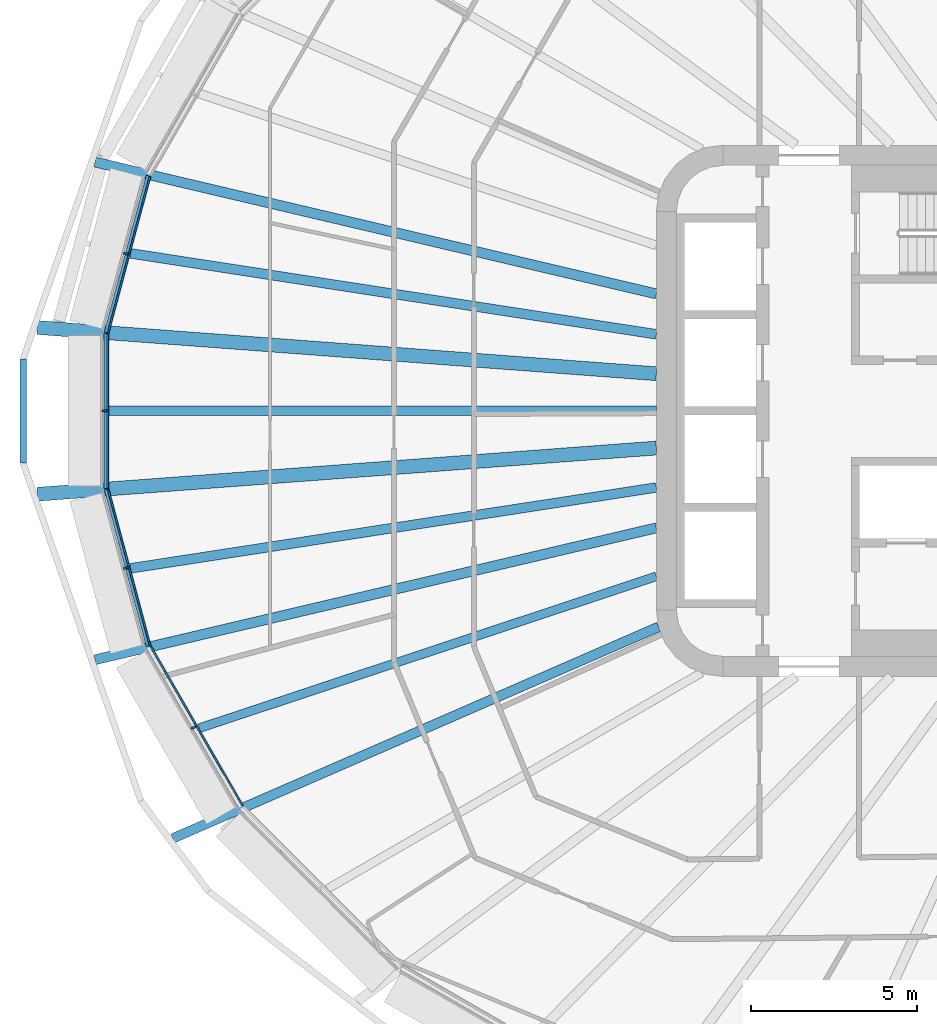
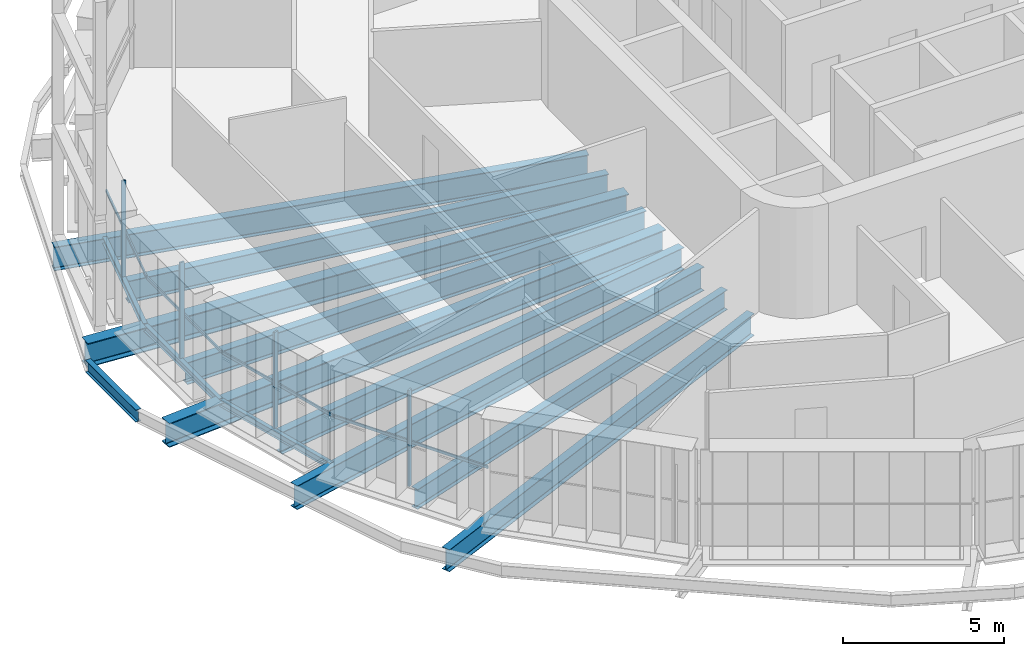
# One storey, part 3 of 26: 13 beams, 8 members, 4 elements without a shape of their own.
"""IFC4 building model written with IfcOpenShell, lengths in metres."""

from ifc_helpers import new_model, si_unit, direction, frame, origin, origin_2d, place, context, subcontext, project, spatial, rectangle, i_section, extrude, material, layer, layer_set, material_profile, profile_set, type_object, element, aggregate, save


model = new_model("IFC4")

# Units and contexts
model_context = context("Model", 3, precision=1e-05, world=origin(), true_north=direction((0.0, 1.0)))
body_context = subcontext(model_context, "Body", "Model", "MODEL_VIEW")
ifc_project = project(units=[si_unit("LENGTHUNIT", "METRE"), si_unit("AREAUNIT", "SQUARE_METRE"), si_unit("VOLUMEUNIT", "CUBIC_METRE"), si_unit("PLANEANGLEUNIT", "RADIAN"), si_unit("MASSUNIT", "GRAM", prefix="KILO")], contexts=[model_context])

# Site, building, storey
site_placement = place(None, origin())
site = spatial("IfcSite", under=ifc_project, at=site_placement, CompositionType="ELEMENT")
building_placement = place(site_placement, origin())
building = spatial("IfcBuilding", under=site, at=building_placement, Name="Sahrelin Media Tower", CompositionType="ELEMENT")
storey_placement = place(building_placement, frame((0.0, 0.0, 84.0)))
storey = spatial("IfcBuildingStorey", under=building, at=storey_placement, Name="L15", CompositionType="ELEMENT", Elevation=84.0)

# Beams
ifc_material_1 = material(Name="Steel S355", Category="steel")
ifc_material_profile_1 = material_profile(ifc_material_1, i_section(OverallWidth=0.14599609375, OverallDepth=0.25146484375, WebThickness=0.006103515625, FlangeThickness=0.008544921875, FilletRadius=0.007568359375, at=origin_2d()), Name="UB 254x146x31")
ifc_profile_set_1 = profile_set([ifc_material_profile_1], Name="Steel S355")
beam_type_1 = type_object("IfcBeamType", Name="Edge beam EB1", PredefinedType="BEAM", material=ifc_profile_set_1)
beam_1_placement = place(storey_placement, frame((-30.2939453125, -7.07666015625, -0.275634765625), z_axis=(-0.258845236834, 0.965918807855, 0.0), x_axis=(-0.965918807855, -0.258845236834, 0.0)))
element("IfcBeam", 1, at=beam_1_placement, inside=storey, type_object=beam_type_1, Name="Edge beam L15-12", PredefinedType="BEAM", context=body_context, shape_type="SweptSolid", body=[
    extrude(i_section(OverallWidth=0.14599609375, OverallDepth=0.25146484375, WebThickness=0.006103515625, FlangeThickness=0.008544921875, FilletRadius=0.007568359375, at=origin_2d()), origin(), (0.0, 0.0, 1.0), 4.882080078125),
])
beam_2_placement = place(storey_placement, frame((-31.561279296875, -2.33251953125, -0.275634765625), z_axis=(0.0, 1.0, 0.0), x_axis=(-1.0, 0.0, 0.0)))
element("IfcBeam", 2, at=beam_2_placement, inside=storey, type_object=beam_type_1, Name="Edge beam L15-13", PredefinedType="BEAM", context=body_context, shape_type="SweptSolid", body=[
    extrude(i_section(OverallWidth=0.14599609375, OverallDepth=0.25146484375, WebThickness=0.006103515625, FlangeThickness=0.008544921875, FilletRadius=0.007568359375, at=origin_2d()), origin(), (0.0, 0.0, 1.0), 4.6650390625),
])
beam_3_placement = place(storey_placement, frame((-31.5576171875, 2.361083984375, -0.275634765625), z_axis=(0.258845236834, 0.965918807855, 0.0), x_axis=(-0.965918807855, 0.258845236834, 0.0)))
element("IfcBeam", 3, at=beam_3_placement, inside=storey, type_object=beam_type_1, Name="Edge beam L15-14", PredefinedType="BEAM", context=body_context, shape_type="SweptSolid", body=[
    extrude(i_section(OverallWidth=0.14599609375, OverallDepth=0.25146484375, WebThickness=0.006103515625, FlangeThickness=0.008544921875, FilletRadius=0.007568359375, at=origin_2d()), origin(), (0.0, 0.0, 1.0), 4.882080078125),
])

# Curtain wall, member
ifc_material_2 = material(Name="Champagne anodised aluminium 6063-T6", Category="aluminium")
ifc_layer = layer(ifc_material_2, 0.14990234375)
ifc_layer_set = layer_set([ifc_layer], Name="Tower ribbon curtain wall")
curtain_wall_type = type_object("IfcCurtainWallType", Name="Tower ribbon curtain wall", PredefinedType="NOTDEFINED", material=ifc_layer_set)
curtain_wall_1_placement = place(storey_placement, frame((-31.07080078125, 4.757568359375, 0.0), z_axis=(0.0, 0.0, 1.0), x_axis=(1.0, 0.0, 0.0)))
curtain_wall_1 = element("IfcCurtainWall", 4, at=curtain_wall_1_placement, inside=storey, type_object=curtain_wall_type, Name="L15:CW:L15-11", PredefinedType="NOTDEFINED")
ifc_material_profile_2 = material_profile(ifc_material_2, rectangle(XDim=0.06005859375, YDim=0.14990234375, at=origin_2d()), Name="Mullion 60x150")
ifc_profile_set_2 = profile_set([ifc_material_profile_2], Name="Champagne anodised aluminium 6063-T6")
member_type_1 = type_object("IfcMemberType", Name="Mullion 60x150 CW1", PredefinedType="MULLION", material=ifc_profile_set_2)
member_1_placement = place(storey_placement, frame((-30.97900390625, 4.733154296875, 0.0), z_axis=(0.0, 0.0, 1.0), x_axis=(-0.258817359244, -0.965926278012, 0.0)))
member_1 = element("IfcMember", 5, at=member_1_placement, type_object=member_type_1, Name="L15:CWM:L15-11", PredefinedType="MULLION", context=body_context, shape_type="SweptSolid", body=[
    extrude(rectangle(XDim=0.06005859375, YDim=0.14990234375, at=origin_2d()), origin(), (0.0, 0.0, 1.0), 3.648681640625),
])

curtain_wall_2_placement = place(storey_placement, frame((-31.711181640625, 0.0, 0.0), z_axis=(0.0, 0.0, 1.0), x_axis=(1.0, 0.0, 0.0)))
curtain_wall_2 = element("IfcCurtainWall", 6, at=curtain_wall_2_placement, inside=storey, type_object=curtain_wall_type, Name="L15:CW:L15-12", PredefinedType="NOTDEFINED")
member_2_placement = place(storey_placement, frame((-31.6162109375, 0.0, 0.0), z_axis=(0.0, 0.0, 1.0), x_axis=(0.0, -1.0, 0.0)))
member_2 = element("IfcMember", 7, at=member_2_placement, type_object=member_type_1, Name="L15:CWM:L15-12", PredefinedType="MULLION", context=body_context, shape_type="SweptSolid", body=[
    extrude(rectangle(XDim=0.06005859375, YDim=0.14990234375, at=origin_2d()), origin(), (0.0, 0.0, 1.0), 3.648681640625),
])

curtain_wall_3_placement = place(storey_placement, frame((-31.07080078125, -4.757568359375, 0.0), z_axis=(0.0, 0.0, 1.0), x_axis=(1.0, 0.0, 0.0)))
curtain_wall_3 = element("IfcCurtainWall", 8, at=curtain_wall_3_placement, inside=storey, type_object=curtain_wall_type, Name="L15:CW:L15-13", PredefinedType="NOTDEFINED")
member_3_placement = place(storey_placement, frame((-30.97900390625, -4.733154296875, 0.0), z_axis=(0.0, 0.0, 1.0), x_axis=(0.258817359244, -0.965926278012, 0.0)))
member_3 = element("IfcMember", 9, at=member_3_placement, type_object=member_type_1, Name="L15:CWM:L15-13", PredefinedType="MULLION", context=body_context, shape_type="SweptSolid", body=[
    extrude(rectangle(XDim=0.06005859375, YDim=0.14990234375, at=origin_2d()), origin(), (0.0, 0.0, 1.0), 3.648681640625),
])

curtain_wall_4_placement = place(storey_placement, frame((-29.021484375, -9.58837890625, 0.0), z_axis=(0.0, 0.0, 1.0), x_axis=(1.0, 0.0, 0.0)))
curtain_wall_4 = element("IfcCurtainWall", 10, at=curtain_wall_4_placement, inside=storey, type_object=curtain_wall_type, Name="L15:CW:L15-14", PredefinedType="NOTDEFINED")
member_4_placement = place(storey_placement, frame((-28.939208984375, -9.540771484375, 0.0), z_axis=(0.0, 0.0, 1.0), x_axis=(0.499990930976, -0.866030639725, 0.0)))
member_4 = element("IfcMember", 11, at=member_4_placement, type_object=member_type_1, Name="L15:CWM:L15-14", PredefinedType="MULLION", context=body_context, shape_type="SweptSolid", body=[
    extrude(rectangle(XDim=0.06005859375, YDim=0.14990234375, at=origin_2d()), origin(), (0.0, 0.0, 1.0), 3.648681640625),
])

# Beams
ifc_material_profile_3 = material_profile(ifc_material_1, i_section(OverallWidth=0.291748046875, OverallDepth=0.8349609375, WebThickness=0.013916015625, FlangeThickness=0.018798828125, FilletRadius=0.017822265625, at=origin_2d()), Name="UB 838x292x176")
ifc_profile_set_3 = profile_set([ifc_material_profile_3], Name="Steel S355")
beam_type_2 = type_object("IfcBeamType", Name="Radial primary beam PB10", PredefinedType="BEAM", material=ifc_profile_set_3)
beam_4_placement = place(storey_placement, frame((-14.93359375, -6.5048828125, -0.5673828125), z_axis=(-0.916802102549, -0.399341839483, 0.0), x_axis=(0.399341839483, -0.916802102549, 0.0)))
element("IfcBeam", 12, at=beam_4_placement, inside=storey, type_object=beam_type_2, Name="Radial beam L15-15", PredefinedType="BEAM", context=body_context, shape_type="SweptSolid", body=[
    extrude(i_section(OverallWidth=0.291748046875, OverallDepth=0.8349609375, WebThickness=0.013916015625, FlangeThickness=0.018798828125, FilletRadius=0.017822265625, at=origin_2d()), origin(), (0.0, 0.0, 1.0), 15.960693359375),
])
ifc_material_profile_4 = material_profile(ifc_material_1, i_section(OverallWidth=0.30322265625, OverallDepth=0.903076171875, WebThickness=0.01513671875, FlangeThickness=0.020263671875, FilletRadius=0.01904296875, at=origin_2d()), Name="UB 914x305x201")
ifc_profile_set_4 = profile_set([ifc_material_profile_4], Name="Steel S355")
beam_type_3 = type_object("IfcBeamType", Name="Radial primary beam PB11", PredefinedType="BEAM", material=ifc_profile_set_4)
for number, where, z_axis, x_axis, name in (
    (13, (-15.0, 3.523681640625, -0.6015625), (-0.973497473538, 0.22869776784, 0.0), (-0.22869776784, -0.973497473538, 0.0), "Radial beam L15-11"),
    (14, (-15.0, -3.523681640625, -0.6015625), (-0.973497473538, -0.22869776784, 0.0), (0.22869776784, -0.973497473538, 0.0), "Radial beam L15-14"),
):
    element("IfcBeam", number, at=place(storey_placement, frame(where, z_axis=z_axis, x_axis=x_axis)), inside=storey, type_object=beam_type_3, Name=name, PredefinedType="BEAM", context=body_context, shape_type="SweptSolid", body=[
        extrude(i_section(OverallWidth=0.30322265625, OverallDepth=0.903076171875, WebThickness=0.01513671875, FlangeThickness=0.020263671875, FilletRadius=0.01904296875, at=origin_2d()), origin(), (0.0, 0.0, 1.0), 17.370849609375),
    ])
ifc_material_profile_5 = material_profile(ifc_material_1, i_section(OverallWidth=0.41845703125, OverallDepth=0.911865234375, WebThickness=0.019287109375, FlangeThickness=0.031982421875, FilletRadius=0.024169921875, at=origin_2d()), Name="UB 914x419x343")
ifc_profile_set_5 = profile_set([ifc_material_profile_5], Name="Steel S355")
beam_type_4 = type_object("IfcBeamType", Name="Radial primary beam PB12", PredefinedType="BEAM", material=ifc_profile_set_5)
for number, where, z_axis, x_axis, name in (
    (15, (-15.0, 1.119384765625, -0.60595703125), (-0.997226558704, 0.074425738924, 0.0), (-0.074425738924, -0.997226558704, 0.0), "Radial beam L15-12"),
    (16, (-15.0, -1.119384765625, -0.60595703125), (-0.997226558704, -0.074425738924, 0.0), (0.074425738924, -0.997226558704, 0.0), "Radial beam L15-13"),
):
    element("IfcBeam", number, at=place(storey_placement, frame(where, z_axis=z_axis, x_axis=x_axis)), inside=storey, type_object=beam_type_4, Name=name, PredefinedType="BEAM", context=body_context, shape_type="SweptSolid", body=[
        extrude(i_section(OverallWidth=0.41845703125, OverallDepth=0.911865234375, WebThickness=0.019287109375, FlangeThickness=0.031982421875, FilletRadius=0.024169921875, at=origin_2d()), origin(), (0.0, 0.0, 1.0), 18.69775390625),
    ])
ifc_material_profile_6 = material_profile(ifc_material_1, i_section(OverallWidth=0.291748046875, OverallDepth=0.8349609375, WebThickness=0.013916015625, FlangeThickness=0.018798828125, FilletRadius=0.017822265625, at=origin_2d()), Name="UB 838x292x176")
ifc_profile_set_6 = profile_set([ifc_material_profile_6], Name="Steel S355")
beam_type_5 = type_object("IfcBeamType", Name="Radial secondary beam SB10", PredefinedType="BEAM", material=ifc_profile_set_6)
beam_5_placement = place(storey_placement, frame((-15.0, 2.30712890625, -0.5673828125), z_axis=(-0.988375923041, 0.152029716678, 0.0), x_axis=(-0.152029716678, -0.988375923041, 0.0)))
element("IfcBeam", 17, at=beam_5_placement, inside=storey, type_object=beam_type_5, Name="Secondary beam L15-11", PredefinedType="BEAM", context=body_context, shape_type="SweptSolid", body=[
    extrude(i_section(OverallWidth=0.291748046875, OverallDepth=0.8349609375, WebThickness=0.013916015625, FlangeThickness=0.018798828125, FilletRadius=0.017822265625, at=origin_2d()), origin(), (0.0, 0.0, 1.0), 16.02978515625),
])
beam_6_placement = place(storey_placement, frame((-15.0, 0.0, -0.5673828125), z_axis=(-1.0, 0.0, 0.0), x_axis=(0.0, -1.0, 0.0)))
element("IfcBeam", 18, at=beam_6_placement, inside=storey, type_object=beam_type_5, Name="Secondary beam L15-12", PredefinedType="BEAM", context=body_context, shape_type="SweptSolid", body=[
    extrude(i_section(OverallWidth=0.291748046875, OverallDepth=0.8349609375, WebThickness=0.013916015625, FlangeThickness=0.018798828125, FilletRadius=0.017822265625, at=origin_2d()), origin(), (0.0, 0.0, 1.0), 16.48828125),
])
beam_7_placement = place(storey_placement, frame((-15.0, -2.30712890625, -0.5673828125), z_axis=(-0.988375923041, -0.152029716678, 0.0), x_axis=(0.152029716678, -0.988375923041, 0.0)))
element("IfcBeam", 19, at=beam_7_placement, inside=storey, type_object=beam_type_5, Name="Secondary beam L15-13", PredefinedType="BEAM", context=body_context, shape_type="SweptSolid", body=[
    extrude(i_section(OverallWidth=0.291748046875, OverallDepth=0.8349609375, WebThickness=0.013916015625, FlangeThickness=0.018798828125, FilletRadius=0.017822265625, at=origin_2d()), origin(), (0.0, 0.0, 1.0), 16.02978515625),
])
ifc_material_profile_7 = material_profile(ifc_material_1, i_section(OverallWidth=0.26513671875, OverallDepth=0.75390625, WebThickness=0.0126953125, FlangeThickness=0.017578125, FilletRadius=0.0166015625, at=origin_2d()), Name="UB 762x267x147")
ifc_profile_set_7 = profile_set([ifc_material_profile_7], Name="Steel S355")
beam_type_6 = type_object("IfcBeamType", Name="Radial secondary beam SB9", PredefinedType="BEAM", material=ifc_profile_set_7)
beam_8_placement = place(storey_placement, frame((-15.0, -4.983642578125, -0.527099609375), z_axis=(-0.948994110949, -0.315293795346, 0.0), x_axis=(0.315293795346, -0.948994110949, 0.0)))
element("IfcBeam", 20, at=beam_8_placement, inside=storey, type_object=beam_type_6, Name="Secondary beam L15-14", PredefinedType="BEAM", context=body_context, shape_type="SweptSolid", body=[
    extrude(i_section(OverallWidth=0.26513671875, OverallDepth=0.75390625, WebThickness=0.0126953125, FlangeThickness=0.017578125, FilletRadius=0.0166015625, at=origin_2d()), origin(), (0.0, 0.0, 1.0), 14.510009765625),
])
ifc_material_profile_8 = material_profile(ifc_material_1, i_section(OverallWidth=0.1904296875, OverallDepth=0.45703125, WebThickness=0.009033203125, FlangeThickness=0.014404296875, FilletRadius=0.01025390625, at=origin_2d()), Name="UB 457x191x74")
ifc_profile_set_8 = profile_set([ifc_material_profile_8], Name="Steel S355")
beam_type_7 = type_object("IfcBeamType", Name="Tie chord TC5", PredefinedType="BEAM", material=ifc_profile_set_8)
beam_9_placement = place(storey_placement, frame((-34.074462890625, 1.5703125, -0.37841796875), z_axis=(0.0, -1.0, 0.0), x_axis=(1.0, 0.0, 0.0)))
element("IfcBeam", 21, at=beam_9_placement, inside=storey, type_object=beam_type_7, Name="Tie chord L15-12", PredefinedType="BEAM", context=body_context, shape_type="SweptSolid", body=[
    extrude(i_section(OverallWidth=0.1904296875, OverallDepth=0.45703125, WebThickness=0.009033203125, FlangeThickness=0.014404296875, FilletRadius=0.01025390625, at=origin_2d()), origin(), (0.0, 0.0, 1.0), 3.140625),
])

# Member
ifc_material_profile_9 = material_profile(ifc_material_2, rectangle(XDim=0.050048828125, YDim=0.10009765625, at=origin_2d()), Name="Transom 50x100")
ifc_profile_set_9 = profile_set([ifc_material_profile_9], Name="Champagne anodised aluminium 6063-T6")
member_type_2 = type_object("IfcMemberType", Name="Transom 50x100 CW1", PredefinedType="USERDEFINED", material=ifc_profile_set_9)
member_5_placement = place(storey_placement, frame((-30.254638671875, 7.0498046875, 1.60009765625), z_axis=(-0.258809044708, -0.965928505831, 0.0), x_axis=(0.965928505831, -0.258809044708, 0.0)))
member_5 = element("IfcMember", 22, at=member_5_placement, type_object=member_type_2, Name="L15:CWT:L15-11", ObjectType="TRANSOM", PredefinedType="USERDEFINED", context=body_context, shape_type="SweptSolid", body=[
    extrude(rectangle(XDim=0.050048828125, YDim=0.10009765625, at=origin_2d()), origin(), (0.0, 0.0, 1.0), 4.8505859375),
])

aggregate(curtain_wall_1, [member_1, member_5])

member_6_placement = place(storey_placement, frame((-31.516357421875, 2.316650390625, 1.60009765625), z_axis=(0.0, -1.0, 0.0), x_axis=(1.0, 0.0, 0.0)))
member_6 = element("IfcMember", 23, at=member_6_placement, type_object=member_type_2, Name="L15:CWT:L15-12", ObjectType="TRANSOM", PredefinedType="USERDEFINED", context=body_context, shape_type="SweptSolid", body=[
    extrude(rectangle(XDim=0.050048828125, YDim=0.10009765625, at=origin_2d()), origin(), (0.0, 0.0, 1.0), 4.63330078125),
])

aggregate(curtain_wall_2, [member_2, member_6])

member_7_placement = place(storey_placement, frame((-31.510009765625, -2.364501953125, 1.60009765625), z_axis=(0.258809044708, -0.965928505831, 0.0), x_axis=(0.965928505831, 0.258809044708, 0.0)))
member_7 = element("IfcMember", 24, at=member_7_placement, type_object=member_type_2, Name="L15:CWT:L15-13", ObjectType="TRANSOM", PredefinedType="USERDEFINED", context=body_context, shape_type="SweptSolid", body=[
    extrude(rectangle(XDim=0.050048828125, YDim=0.10009765625, at=origin_2d()), origin(), (0.0, 0.0, 1.0), 4.8505859375),
])

aggregate(curtain_wall_3, [member_3, member_7])

member_8_placement = place(storey_placement, frame((-30.236083984375, -7.094482421875, 1.60009765625), z_axis=(0.500001219746, -0.866024699562, 0.0), x_axis=(0.866024699562, 0.500001219746, 0.0)))
member_8 = element("IfcMember", 25, at=member_8_placement, type_object=member_type_2, Name="L15:CWT:L15-14", ObjectType="TRANSOM", PredefinedType="USERDEFINED", context=body_context, shape_type="SweptSolid", body=[
    extrude(rectangle(XDim=0.050048828125, YDim=0.10009765625, at=origin_2d()), origin(), (0.0, 0.0, 1.0), 5.5341796875),
])

aggregate(curtain_wall_4, [member_4, member_8])

save(model, "model.ifc")
